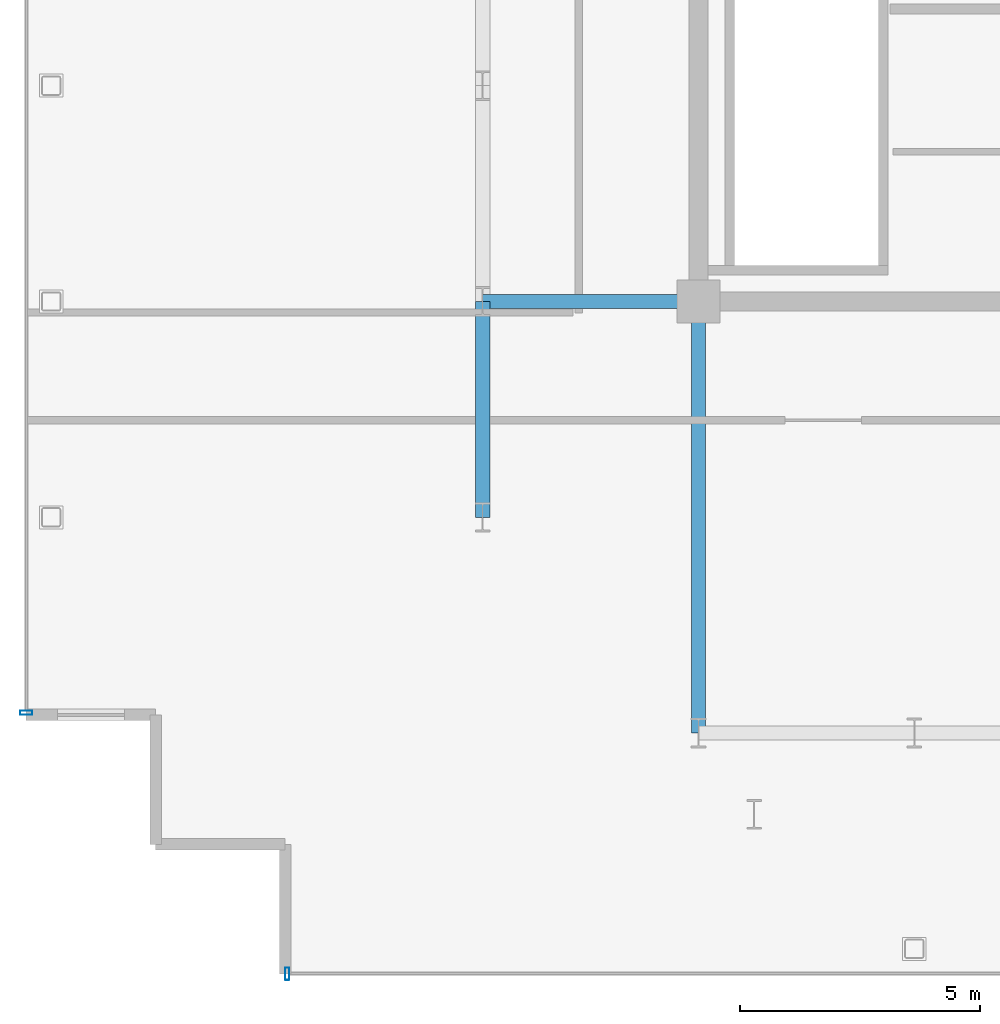
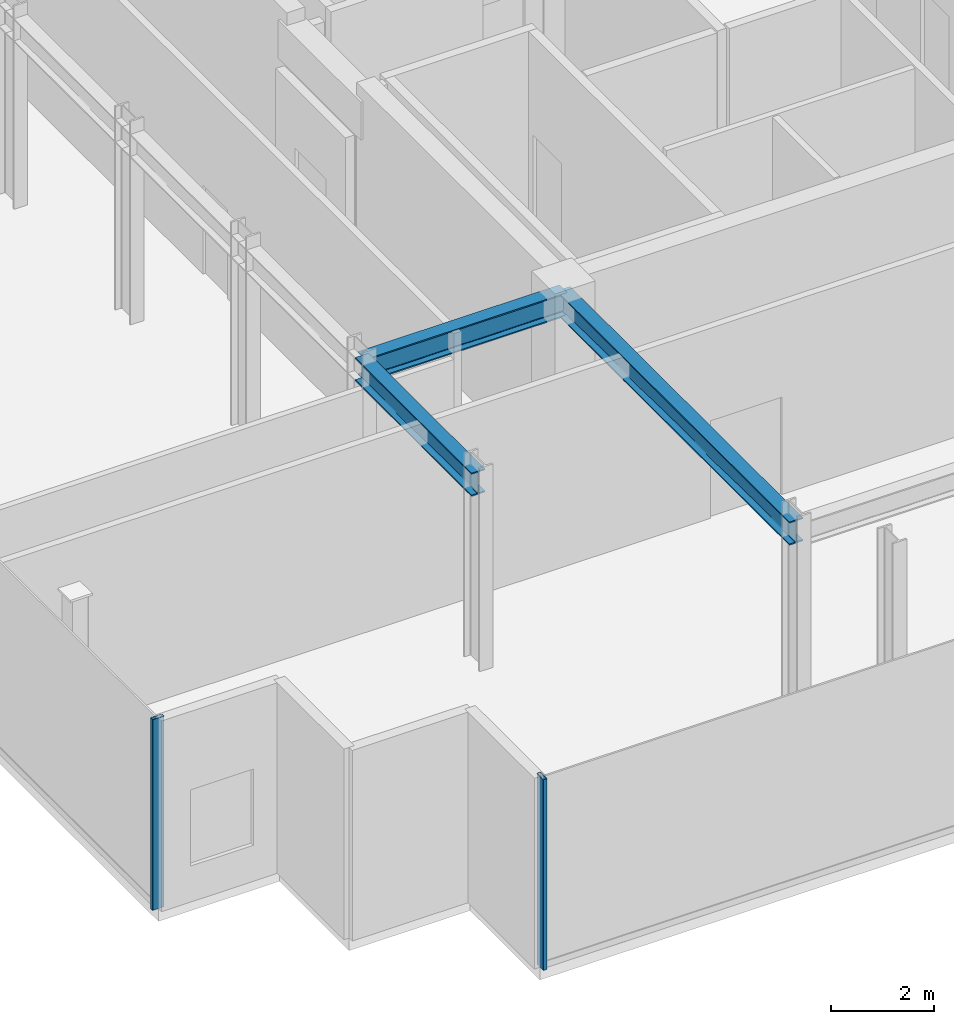
# One storey, part 2 of 17: 3 beams, 2 members, 2 elements without a shape of their own.
"""IFC4 building model written with IfcOpenShell, lengths in metres."""

import ifcopenshell
import ifcopenshell.guid

model = None  # the IFC model being written
_history = None  # IfcOwnerHistory: only IFC2X3 demands one
_inside = {}  # id of a spatial element -> (the spatial element, [elements in it])
_under = {}  # id of a project, library or spatial element -> (it, [spatial elements below it])
_declared = {}  # id of a project -> (the project, [libraries it declares])
_typed = {}  # id of a type object -> (the type object, [elements of that type])
_made_of = {}  # id of a material, layer set ... -> (it, [elements and type objects made of it])


def new_model(schema):
    """Start an empty IFC model of exactly this schema.

    Asked for "IFC4X3", IfcOpenShell would pick the latest addendum, in which some entities
    have other attributes; the version numbers below select the first issue.
    IFC2X3 requires an IfcOwnerHistory on every rooted entity: one is made here for all.
    """
    global model, _history
    if schema == "IFC4X3":
        model = ifcopenshell.file(schema_version=(4, 3, 0, 0))
    else:
        model = ifcopenshell.file(schema=schema)
    _inside.clear()
    _under.clear()
    _declared.clear()
    _typed.clear()
    _made_of.clear()
    _history = None
    if model.schema == "IFC2X3":
        org = make("IfcOrganization", Name="unknown")
        user = make(
            "IfcPersonAndOrganization",
            ThePerson=make("IfcPerson", FamilyName="unknown"),
            TheOrganization=org,
        )
        app = make(
            "IfcApplication",
            ApplicationDeveloper=org,
            Version="unknown",
            ApplicationFullName="unknown",
            ApplicationIdentifier="unknown",
        )
        _history = make(
            "IfcOwnerHistory",
            OwningUser=user,
            OwningApplication=app,
            ChangeAction="ADDED",
            CreationDate=0,
        )
    return model


def make(cls, **values):
    """One entity of the class cls with the attributes given. An attribute that is None is left unset."""
    return model.create_entity(
        cls, **{name: value for name, value in values.items() if value is not None}
    )


def rooted(cls, **values):
    """An entity with a GlobalId (a new one), such as an element, a storey or a relation."""
    return make(cls, GlobalId=ifcopenshell.guid.new(), OwnerHistory=_history, **values)


def si_unit(unit_type, name, prefix=None):
    """IfcSIUnit, for example si_unit("LENGTHUNIT", "METRE", prefix="MILLI")."""
    return make("IfcSIUnit", UnitType=unit_type, Prefix=prefix, Name=name)


def assignment(units):
    """IfcUnitAssignment: the units of a project."""
    return None if units is None else make("IfcUnitAssignment", Units=units)


def point(xyz):
    """IfcCartesianPoint."""
    return None if xyz is None else make("IfcCartesianPoint", Coordinates=xyz)


def direction(xyz):
    """IfcDirection."""
    return None if xyz is None else make("IfcDirection", DirectionRatios=xyz)


def frame(location, z_axis=None, x_axis=None):
    """IfcAxis2Placement3D, a coordinate frame: its origin and axes. An axis left out is left unset."""
    return make(
        "IfcAxis2Placement3D",
        Location=point(location),
        Axis=direction(z_axis),
        RefDirection=direction(x_axis),
    )


def frame_2d(location, x_axis=None):
    """IfcAxis2Placement2D, a coordinate frame in the plane: its origin and x axis."""
    return make(
        "IfcAxis2Placement2D", Location=point(location), RefDirection=direction(x_axis)
    )


def origin():
    """The frame at (0, 0, 0) with its axes left unset."""
    return frame((0.0, 0.0, 0.0))


def origin_2d():
    """The frame at (0, 0) in the plane with its x axis left unset."""
    return frame_2d((0.0, 0.0))


def place(relative_to, where):
    """IfcLocalPlacement: puts the frame where relative to a parent placement (None: the world)."""
    return make(
        "IfcLocalPlacement", PlacementRelTo=relative_to, RelativePlacement=where
    )


def context(
    kind, dimensions, precision=None, world=None, true_north=None, identifier=None
):
    """IfcGeometricRepresentationContext, for example the 3D "Model" context."""
    return make(
        "IfcGeometricRepresentationContext",
        ContextIdentifier=identifier,
        ContextType=kind,
        CoordinateSpaceDimension=dimensions,
        Precision=precision,
        WorldCoordinateSystem=world,
        TrueNorth=true_north,
    )


def subcontext(parent, identifier, kind, view, scale=None):
    """IfcGeometricRepresentationSubContext, for example "Body" below "Model"."""
    return make(
        "IfcGeometricRepresentationSubContext",
        ContextIdentifier=identifier,
        ContextType=kind,
        ParentContext=parent,
        TargetScale=scale,
        TargetView=view,
    )


def project(units=None, contexts=None):
    """IfcProject with its units and contexts."""
    return rooted(
        "IfcProject",
        Name="project",
        RepresentationContexts=contexts,
        UnitsInContext=assignment(units),
    )


def spatial(cls, under=None, at=None, **own):
    """A site, building, storey or space (cls), placed at a placement, below another one or the project."""
    s = rooted(cls, ObjectPlacement=at, **own)
    if under is not None:
        _under.setdefault(under.id(), (under, []))[1].append(s)
    return s


def profile(cls, at=None, kind="AREA", **sizes):
    """A parametric profile (cls). Its sizes go by their IFC names, for example OverallWidth=200.0."""
    return make(cls, ProfileType=kind, Position=at, **sizes)


def hollow_rectangle(**sizes):
    """IfcRectangleHollowProfileDef."""
    return profile("IfcRectangleHollowProfileDef", **sizes)


def i_section(**sizes):
    """IfcIShapeProfileDef."""
    return profile("IfcIShapeProfileDef", **sizes)


def extrude(swept, where, along, depth):
    """IfcExtrudedAreaSolid: the profile swept, set in the frame where, extruded along a direction by depth."""
    return make(
        "IfcExtrudedAreaSolid",
        SweptArea=swept,
        Position=where,
        ExtrudedDirection=direction(along),
        Depth=depth,
    )


def shape(context_of_items, identifier, shape_type, items):
    """IfcShapeRepresentation: the items that make up one representation, for example the "Body"."""
    return make(
        "IfcShapeRepresentation",
        ContextOfItems=context_of_items,
        RepresentationIdentifier=identifier,
        RepresentationType=shape_type,
        Items=items,
    )


def source(mapping_origin, context_of_items, identifier, shape_type, items):
    """IfcRepresentationMap: a shape defined once, which mapped items show again and again."""
    return make(
        "IfcRepresentationMap",
        MappingOrigin=mapping_origin,
        MappedRepresentation=shape(context_of_items, identifier, shape_type, items),
    )


def transform(
    local_origin,
    x_axis=None,
    y_axis=None,
    z_axis=None,
    scale=None,
    scale2=None,
    scale3=None,
    uniform=True,
):
    """IfcCartesianTransformationOperator3D, or its non-uniform kind. x_axis, y_axis, z_axis: its Axis1, 2, 3."""
    if uniform:
        return make(
            "IfcCartesianTransformationOperator3D",
            Axis1=direction(x_axis),
            Axis2=direction(y_axis),
            LocalOrigin=point(local_origin),
            Scale=scale,
            Axis3=direction(z_axis),
        )
    return make(
        "IfcCartesianTransformationOperator3DnonUniform",
        Axis1=direction(x_axis),
        Axis2=direction(y_axis),
        LocalOrigin=point(local_origin),
        Scale=scale,
        Axis3=direction(z_axis),
        Scale2=scale2,
        Scale3=scale3,
    )


def mapped(mapping_source, mapping_target):
    """IfcMappedItem: shows the shape of a source again, moved by a transform."""
    return make(
        "IfcMappedItem", MappingSource=mapping_source, MappingTarget=mapping_target
    )


def material(Name=None, Category=None):
    """IfcMaterial."""
    return make("IfcMaterial", Name=Name, Category=Category)


def layer(
    of_material, thickness, ventilated=None, Name=None, Category=None, Priority=None
):
    """IfcMaterialLayer: one layer of a wall or slab, of a material (None: an air gap)."""
    return make(
        "IfcMaterialLayer",
        Material=of_material,
        LayerThickness=thickness,
        IsVentilated=ventilated,
        Name=Name,
        Category=Category,
        Priority=Priority,
    )


def layer_set(layers, Name=None):
    """IfcMaterialLayerSet."""
    return make("IfcMaterialLayerSet", MaterialLayers=layers, LayerSetName=Name)


def material_profile(
    of_material, cross_section, Name=None, Category=None, Priority=None
):
    """IfcMaterialProfile: a cross section and its material."""
    return make(
        "IfcMaterialProfile",
        Name=Name,
        Material=of_material,
        Profile=cross_section,
        Priority=Priority,
        Category=Category,
    )


def profile_set(profiles, Name=None, composite=None):
    """IfcMaterialProfileSet."""
    return make(
        "IfcMaterialProfileSet",
        Name=Name,
        MaterialProfiles=profiles,
        CompositeProfile=composite,
    )


def made_of(thing, what):
    """Note that an element or type object is made of a material, layer set ...; save() writes the relation."""
    if what is not None:
        _made_of.setdefault(what.id(), (what, []))[1].append(thing)
    return thing


def type_object(cls, material=None, **own):
    """A type object (cls), such as IfcWallType, which elements share."""
    return made_of(rooted(cls, **own), material)


def element(
    cls,
    number,
    at=None,
    inside=None,
    cuts=None,
    type_object=None,
    material=None,
    context=None,
    identifier="Body",
    shape_type=None,
    held_by="IfcProductDefinitionShape",
    body=None,
    shapes=None,
    **own,
):
    """One element of the class cls, such as IfcWall. Its Tag is "e" and its number.

    at: its placement. inside: the storey or other place that contains it. cuts: it is an
    opening in that element (IfcRelVoidsElement). A single representation is given by context,
    identifier, shape_type and body (its items); several are given by shapes. held_by: the class
    of the entity that holds the representations. save() writes the other relations.
    """
    e = rooted(cls, Tag="e%d" % number, ObjectPlacement=at, **own)
    if body is not None:
        shapes = [shape(context, identifier, shape_type, body)]
    if shapes is not None:
        e.Representation = make(held_by, Representations=shapes)
    if inside is not None:
        _inside.setdefault(inside.id(), (inside, []))[1].append(e)
    if cuts is not None:
        rooted(
            "IfcRelVoidsElement", RelatingBuildingElement=cuts, RelatedOpeningElement=e
        )
    if type_object is not None:
        _typed.setdefault(type_object.id(), (type_object, []))[1].append(e)
    return made_of(e, material)


def aggregate(whole, parts):
    """IfcRelAggregates: a whole, such as a stair, and the parts it consists of."""
    return rooted("IfcRelAggregates", RelatingObject=whole, RelatedObjects=parts)


def save(model, path):
    """Write the relations noted so far, then the file.

    IfcRelAggregates (storeys below a building ...), IfcRelContainedInSpatialStructure (elements
    in a storey), IfcRelDefinesByType, IfcRelAssociatesMaterial and IfcRelDeclares: one each for
    every whole, place, type object, material and project.
    """
    for whole, parts in _under.values():
        aggregate(whole, parts)
    for where, things in _inside.values():
        rooted(
            "IfcRelContainedInSpatialStructure",
            RelatedElements=things,
            RelatingStructure=where,
        )
    for kind, things in _typed.values():
        rooted("IfcRelDefinesByType", RelatedObjects=things, RelatingType=kind)
    for what, things in _made_of.values():
        rooted("IfcRelAssociatesMaterial", RelatedObjects=things, RelatingMaterial=what)
    for by, libraries in _declared.values():
        rooted("IfcRelDeclares", RelatingContext=by, RelatedDefinitions=libraries)
    model.write(path)


model = new_model("IFC4")

# Units and contexts
model_context = context("Model", 3, precision=1e-05, world=origin(), true_north=direction((0.0, 1.0)))
body_context = subcontext(model_context, "Body", "Model", "MODEL_VIEW")
ifc_project = project(units=[si_unit("LENGTHUNIT", "METRE"), si_unit("AREAUNIT", "SQUARE_METRE"), si_unit("VOLUMEUNIT", "CUBIC_METRE"), si_unit("PLANEANGLEUNIT", "RADIAN"), si_unit("MASSUNIT", "GRAM", prefix="KILO")], contexts=[model_context])

# Site, building, storey
site_placement = place(None, origin())
site = spatial("IfcSite", under=ifc_project, at=site_placement, CompositionType="ELEMENT")
building_placement = place(site_placement, origin())
building = spatial("IfcBuilding", under=site, at=building_placement, Name="Nefas-Gora Pilgrimage Tower", CompositionType="ELEMENT")
storey_placement = place(building_placement, frame((0.0, 0.0, 353.800048828125)))
storey = spatial("IfcBuildingStorey", under=building, at=storey_placement, Name="L89", CompositionType="ELEMENT", Elevation=353.800048828125)

# Beams
ifc_material_1 = material(Name="Steel S355", Category="steel")
ifc_material_profile_1 = material_profile(ifc_material_1, i_section(OverallWidth=0.300048828125, OverallDepth=0.550048828125, WebThickness=0.014892578125, FlangeThickness=0.029052734375, FilletRadius=0.027099609375, at=origin_2d()), Name="HEB 550")
ifc_profile_set_1 = profile_set([ifc_material_profile_1], Name="Steel S355")
beam_type = type_object("IfcBeamType", Name="BM-GIR-HEB550", PredefinedType="BEAM", material=ifc_profile_set_1)
shared_shape_1 = source(origin(), body_context, "Body", "SweptSolid", [
    extrude(i_section(OverallWidth=0.300048828125, OverallDepth=0.550048828125, WebThickness=0.014892578125, FlangeThickness=0.029052734375, FilletRadius=0.027099609375, at=origin_2d()), origin(), (0.0, 0.0, 1.0), 9.0),
])
beam_placement = place(storey_placement, frame((-11.25, -18.0, 4.224853515625), z_axis=(0.0, 1.0, 0.0), x_axis=(-1.0, 0.0, 0.0)))
element("IfcBeam", 1, at=beam_placement, inside=storey, type_object=beam_type, Name="L89 G-05 beam", PredefinedType="BEAM", context=body_context, shape_type="MappedRepresentation", body=[
    mapped(shared_shape_1, transform((0.0, 0.0, 0.0), x_axis=(1.0, 0.0, 0.0), y_axis=(0.0, 1.0, 0.0), z_axis=(0.0, 0.0, 1.0), scale=1.0)),
])
shared_shape_2 = source(origin(), body_context, "Body", "SweptSolid", [
    extrude(i_section(OverallWidth=0.300048828125, OverallDepth=0.550048828125, WebThickness=0.014892578125, FlangeThickness=0.029052734375, FilletRadius=0.027099609375, at=origin_2d()), origin(), (0.0, 0.0, 1.0), 4.5),
])
for number, where, z_axis, x_axis, name in (
    (2, (-15.75, -13.5, 4.224853515625), (0.0, 1.0, 0.0), (-1.0, 0.0, 0.0), "L89 G-05 beam"),
    (3, (-15.75, -9.0, 4.224853515625), (1.0, 0.0, 0.0), (0.0, 1.0, 0.0), "L89 G-05 beam"),
):
    element("IfcBeam", number, at=place(storey_placement, frame(where, z_axis=z_axis, x_axis=x_axis)), inside=storey, type_object=beam_type, Name=name, PredefinedType="BEAM", context=body_context, shape_type="MappedRepresentation", body=[
        mapped(shared_shape_2, transform((0.0, 0.0, 0.0), x_axis=(1.0, 0.0, 0.0), y_axis=(0.0, 1.0, 0.0), z_axis=(0.0, 0.0, 1.0), scale=1.0)),
    ])

# Curtain wall, member
ifc_material_2 = material(Name="Dark ceramic-fritted solar-control aluminium-glass curtain wall", Category="aluminium")
ifc_layer = layer(ifc_material_2, 0.219970703125)
ifc_layer_set = layer_set([ifc_layer], Name="Dark ceramic-fritted solar-control aluminium-glass curtain wall")
curtain_wall_type = type_object("IfcCurtainWallType", Name="CW-SYS-6", PredefinedType="NOTDEFINED", material=ifc_layer_set)
curtain_wall_1_placement = place(storey_placement, origin())
curtain_wall_1 = element("IfcCurtainWall", 4, at=curtain_wall_1_placement, inside=storey, type_object=curtain_wall_type, Name="L89 Unitised Curtain Wall CW6", PredefinedType="NOTDEFINED")
ifc_material_3 = material(Name="Anodised architectural aluminium", Category="aluminium")
ifc_material_profile_2 = material_profile(ifc_material_3, hollow_rectangle(XDim=0.090087890625, YDim=0.260009765625, WallThickness=0.006103515625, InnerFilletRadius=0.006103515625, OuterFilletRadius=0.011962890625, at=origin_2d()), Name="ALU MULLION 90x260")
ifc_profile_set_2 = profile_set([ifc_material_profile_2], Name="Anodised architectural aluminium")
member_type = type_object("IfcMemberType", Name="CWM-MUL-6", PredefinedType="MULLION", material=ifc_profile_set_2)
shared_shape_3 = source(origin(), body_context, "Body", "SweptSolid", [
    extrude(hollow_rectangle(XDim=0.090087890625, YDim=0.260009765625, WallThickness=0.006103515625, InnerFilletRadius=0.006103515625, OuterFilletRadius=0.011962890625, at=origin_2d()), origin(), (0.0, 0.0, 1.0), 4.5),
])
member_1_placement = place(storey_placement, frame((-25.27001953125, -17.574951171875, 0.0), z_axis=(0.0, 0.0, 1.0), x_axis=(0.0, -1.0, 0.0)))
member_1 = element("IfcMember", 5, at=member_1_placement, type_object=member_type, Name="CW6 Mullion 3", PredefinedType="MULLION", context=body_context, shape_type="MappedRepresentation", body=[
    mapped(shared_shape_3, transform((0.0, 0.0, 0.0), x_axis=(1.0, 0.0, 0.0), y_axis=(0.0, 1.0, 0.0), z_axis=(0.0, 0.0, 1.0), scale=1.0)),
])
aggregate(curtain_wall_1, [member_1])

curtain_wall_2_placement = place(storey_placement, origin())
curtain_wall_2 = element("IfcCurtainWall", 6, at=curtain_wall_2_placement, inside=storey, type_object=curtain_wall_type, Name="L89 Unitised Curtain Wall CW6", PredefinedType="NOTDEFINED")
member_2_placement = place(storey_placement, frame((-19.824951171875, -23.02001953125, 0.0), z_axis=(0.0, 0.0, 1.0), x_axis=(1.0, 0.0, 0.0)))
member_2 = element("IfcMember", 7, at=member_2_placement, type_object=member_type, Name="CW6 Mullion 1", PredefinedType="MULLION", context=body_context, shape_type="MappedRepresentation", body=[
    mapped(shared_shape_3, transform((0.0, 0.0, 0.0), x_axis=(1.0, 0.0, 0.0), y_axis=(0.0, 1.0, 0.0), z_axis=(0.0, 0.0, 1.0), scale=1.0)),
])
aggregate(curtain_wall_2, [member_2])

save(model, "model.ifc")
